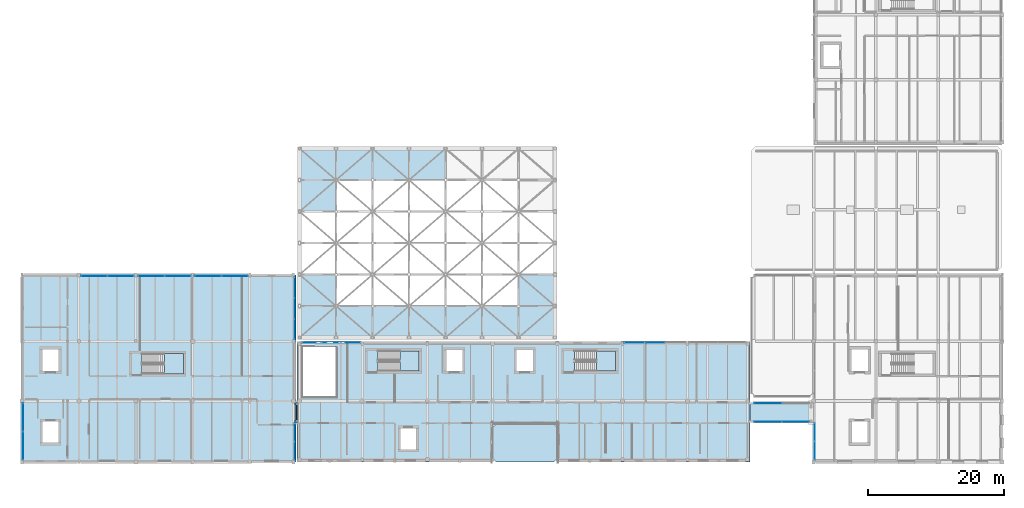
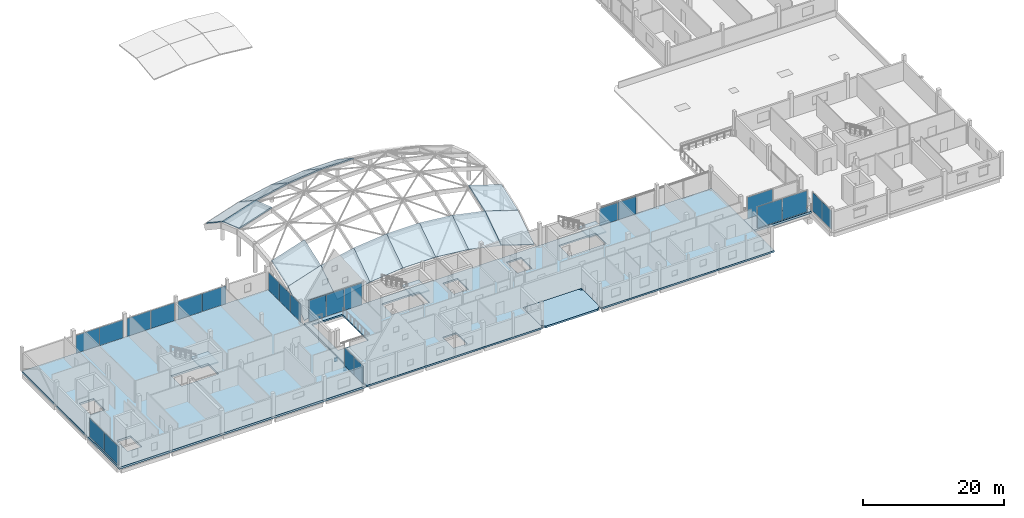
# One storey, part 18 of 41: 23 plates, 22 slabs, 2 beams, 15 elements without a shape of their own.
"""IFC4 building model written with IfcOpenShell, lengths in metres."""

from ifc_helpers import new_model, si_unit, direction, frame, origin, origin_2d, place, context, subcontext, project, spatial, polyline, rectangle, i_section, outline, extrude, material, layer, layer_set, material_profile, profile_set, type_object, element, aggregate, save


model = new_model("IFC4")

# Units and contexts
model_context = context("Model", 3, precision=1e-05, world=origin(), true_north=direction((0.0, 1.0)))
body_context = subcontext(model_context, "Body", "Model", "MODEL_VIEW")
ifc_project = project(units=[si_unit("LENGTHUNIT", "METRE"), si_unit("AREAUNIT", "SQUARE_METRE"), si_unit("VOLUMEUNIT", "CUBIC_METRE"), si_unit("PLANEANGLEUNIT", "RADIAN"), si_unit("MASSUNIT", "GRAM", prefix="KILO")], contexts=[model_context])

# Site, building, storey
site_placement = place(None, origin())
site = spatial("IfcSite", under=ifc_project, at=site_placement, CompositionType="ELEMENT")
building_placement = place(site_placement, origin())
building = spatial("IfcBuilding", under=site, at=building_placement, Name="Birchvale Park Specialist Clinic", CompositionType="ELEMENT")
storey_placement = place(building_placement, frame((0.0, 0.0, 9.60009765625)))
storey = spatial("IfcBuildingStorey", under=building, at=storey_placement, Name="L02", CompositionType="ELEMENT", Elevation=9.60009765625)

# Beams
ifc_material_1 = material(Name="Steel ASTM A992 Grade 50", Category="steel")
ifc_material_profile = material_profile(ifc_material_1, i_section(OverallWidth=0.22900390625, OverallDepth=0.612060546875, WebThickness=0.011962890625, FlangeThickness=0.01953125, at=origin_2d()), Name="W24X84")
ifc_profile_set = profile_set([ifc_material_profile], Name="Steel ASTM A992 Grade 50")
beam_type = type_object("IfcBeamType", Name="STL-EXT-SB2", PredefinedType="BEAM", material=ifc_profile_set)
for number, where, z_axis, x_axis, name in (
    (1, (51.409912109375, 22.800048828125, -0.671142578125), (1.0, 0.0, 0.0), (0.0, 1.0, 0.0), "L02 link bridge girder BRG-1.1"),
    (2, (51.409912109375, 25.39990234375, -0.671142578125), (1.0, 0.0, 0.0), (0.0, 1.0, 0.0), "L02 link bridge girder BRG-1.2"),
):
    element("IfcBeam", number, at=place(storey_placement, frame(where, z_axis=z_axis, x_axis=x_axis)), inside=storey, type_object=beam_type, Name=name, PredefinedType="BEAM", context=body_context, shape_type="SweptSolid", body=[
        extrude(i_section(OverallWidth=0.22900390625, OverallDepth=0.612060546875, WebThickness=0.011962890625, FlangeThickness=0.01953125, at=origin_2d()), origin(), (0.0, 0.0, 1.0), 0.52001953125),
    ])

# Curtain wall, plates
ifc_material_2 = material(Name="Thermally broken anodised aluminium", Category="aluminium")
ifc_layer_1 = layer(ifc_material_2, 0.179931640625)
ifc_layer_set_1 = layer_set([ifc_layer_1], Name="Thermally broken anodised aluminium")
curtain_wall_type_1 = type_object("IfcCurtainWallType", Name="CW-U1", PredefinedType="USERDEFINED", material=ifc_layer_set_1)
curtain_wall_1_placement = place(storey_placement, origin())
curtain_wall_1 = element("IfcCurtainWall", 3, at=curtain_wall_1_placement, inside=storey, type_object=curtain_wall_type_1, Name="V4 L02 glazed curtain wall 110", ObjectType="UNITISED", PredefinedType="USERDEFINED")
ifc_material_3 = material(Name="Solar-control low-E double glazing", Category="glass")
ifc_layer_2 = layer(ifc_material_3, 0.028076171875)
ifc_layer_set_2 = layer_set([ifc_layer_2], Name="Solar-control low-E double glazing")
plate_type_1 = type_object("IfcPlateType", Name="CWP1", PredefinedType="CURTAIN_PANEL", material=ifc_layer_set_2)
plate_1_placement = place(storey_placement, frame((104.614990234375, 34.409912109375, 0.059814453125), z_axis=(0.0, 0.0, 1.0), x_axis=(-1.0, 0.0, 0.0)))
plate_1 = element("IfcPlate", 4, at=plate_1_placement, type_object=plate_type_1, Name="CW panel 2.1", PredefinedType="CURTAIN_PANEL", context=body_context, shape_type="SweptSolid", body=[
    extrude(rectangle(XDim=2.989990234375, YDim=0.028076171875, at=origin_2d()), origin(), (0.0, 0.0, 1.0), 3.06494140625),
])
plate_2_placement = place(storey_placement, frame((101.580078125, 34.409912109375, 0.059814453125), z_axis=(0.0, 0.0, 1.0), x_axis=(-1.0, 0.0, 0.0)))
plate_2 = element("IfcPlate", 5, at=plate_2_placement, type_object=plate_type_1, Name="CW panel 3.1", PredefinedType="CURTAIN_PANEL", context=body_context, shape_type="SweptSolid", body=[
    extrude(rectangle(XDim=2.9599609375, YDim=0.028076171875, at=origin_2d()), origin(), (0.0, 0.0, 1.0), 3.06494140625),
])
aggregate(curtain_wall_1, [plate_1, plate_2])

curtain_wall_2_placement = place(storey_placement, origin())
curtain_wall_2 = element("IfcCurtainWall", 6, at=curtain_wall_2_placement, inside=storey, type_object=curtain_wall_type_1, Name="V4 L02 glazed curtain wall 111", ObjectType="UNITISED", PredefinedType="USERDEFINED")
plate_3_placement = place(storey_placement, frame((59.708251953125, 34.409912109375, 0.06005859375), z_axis=(0.0, 0.0, 1.0), x_axis=(-1.0, 0.0, 0.0)))
plate_3 = element("IfcPlate", 7, at=plate_3_placement, type_object=plate_type_1, Name="CW panel 1.1", PredefinedType="CURTAIN_PANEL", context=body_context, shape_type="SweptSolid", body=[
    extrude(rectangle(XDim=2.84326171875, YDim=0.028076171875, at=origin_2d()), origin(), (0.0, 0.0, 1.0), 3.800048828125),
])
plate_4_placement = place(storey_placement, frame((56.7900390625, 34.409912109375, 0.06005859375), z_axis=(0.0, 0.0, 1.0), x_axis=(-1.0, 0.0, 0.0)))
plate_4 = element("IfcPlate", 8, at=plate_4_placement, type_object=plate_type_1, Name="CW panel 2.1", PredefinedType="CURTAIN_PANEL", context=body_context, shape_type="SweptSolid", body=[
    extrude(rectangle(XDim=2.873291015625, YDim=0.028076171875, at=origin_2d()), origin(), (0.0, 0.0, 1.0), 3.800048828125),
])
plate_5_placement = place(storey_placement, frame((53.87158203125, 34.409912109375, 0.06005859375), z_axis=(0.0, 0.0, 1.0), x_axis=(-1.0, 0.0, 0.0)))
plate_5 = element("IfcPlate", 9, at=plate_5_placement, type_object=plate_type_1, Name="CW panel 3.1", PredefinedType="CURTAIN_PANEL", context=body_context, shape_type="SweptSolid", body=[
    extrude(rectangle(XDim=2.84326171875, YDim=0.028076171875, at=origin_2d()), origin(), (0.0, 0.0, 1.0), 3.800048828125),
])
aggregate(curtain_wall_2, [plate_3, plate_4, plate_5])

ifc_layer_3 = layer(ifc_material_2, 0.195068359375)
ifc_layer_set_3 = layer_set([ifc_layer_3], Name="Thermally broken anodised aluminium")
curtain_wall_type_2 = type_object("IfcCurtainWallType", Name="CW-U2", PredefinedType="USERDEFINED", material=ifc_layer_set_3)
curtain_wall_3_placement = place(storey_placement, origin())
curtain_wall_3 = element("IfcCurtainWall", 10, at=curtain_wall_3_placement, inside=storey, type_object=curtain_wall_type_2, Name="V2 L02 glazed curtain wall 103", ObjectType="UNITISED", PredefinedType="USERDEFINED")
ifc_layer_4 = layer(ifc_material_3, 0.031982421875)
ifc_layer_set_4 = layer_set([ifc_layer_4], Name="Solar-control low-E double glazing")
plate_type_2 = type_object("IfcPlateType", Name="CWP2", PredefinedType="CURTAIN_PANEL", material=ifc_layer_set_4)
plate_6_placement = place(storey_placement, frame((51.445068359375, 18.47119140625, 0.06494140625), z_axis=(0.0, 0.0, 1.0), x_axis=(0.0, 1.0, 0.0)))
plate_6 = element("IfcPlate", 11, at=plate_6_placement, type_object=plate_type_2, Name="CW panel 1.1", PredefinedType="CURTAIN_PANEL", context=body_context, shape_type="SweptSolid", body=[
    extrude(rectangle(XDim=2.632568359375, YDim=0.031982421875, at=origin_2d()), origin(), (0.0, 0.0, 1.0), 3.205078125),
])
plate_7_placement = place(storey_placement, frame((51.445068359375, 21.168701171875, 0.06494140625), z_axis=(0.0, 0.0, 1.0), x_axis=(0.0, 1.0, 0.0)))
plate_7 = element("IfcPlate", 12, at=plate_7_placement, type_object=plate_type_2, Name="CW panel 2.1", PredefinedType="CURTAIN_PANEL", context=body_context, shape_type="SweptSolid", body=[
    extrude(rectangle(XDim=2.632568359375, YDim=0.031982421875, at=origin_2d()), origin(), (0.0, 0.0, 1.0), 3.205078125),
])
aggregate(curtain_wall_3, [plate_6, plate_7])

curtain_wall_4_placement = place(storey_placement, origin())
curtain_wall_4 = element("IfcCurtainWall", 13, at=curtain_wall_4_placement, inside=storey, type_object=curtain_wall_type_2, Name="V2 L02 glazed curtain wall 104", ObjectType="UNITISED", PredefinedType="USERDEFINED")
plate_8_placement = place(storey_placement, frame((51.445068359375, 36.40625, 0.06494140625), z_axis=(0.0, 0.0, 1.0), x_axis=(0.0, 1.0, 0.0)))
plate_8 = element("IfcPlate", 14, at=plate_8_placement, type_object=plate_type_2, Name="CW panel 1.1", PredefinedType="CURTAIN_PANEL", context=body_context, shape_type="SweptSolid", body=[
    extrude(rectangle(XDim=3.00244140625, YDim=0.031982421875, at=origin_2d()), origin(), (0.0, 0.0, 1.0), 3.139892578125),
])
plate_9_placement = place(storey_placement, frame((51.445068359375, 39.489990234375, 0.06494140625), z_axis=(0.0, 0.0, 1.0), x_axis=(0.0, 1.0, 0.0)))
plate_9 = element("IfcPlate", 15, at=plate_9_placement, type_object=plate_type_2, Name="CW panel 2.1", PredefinedType="CURTAIN_PANEL", context=body_context, shape_type="SweptSolid", body=[
    extrude(rectangle(XDim=3.034912109375, YDim=0.031982421875, at=origin_2d()), origin(), (0.0, 0.0, 1.0), 3.139892578125),
])
plate_10_placement = place(storey_placement, frame((51.445068359375, 42.57373046875, 0.06494140625), z_axis=(0.0, 0.0, 1.0), x_axis=(0.0, 1.0, 0.0)))
plate_10 = element("IfcPlate", 16, at=plate_10_placement, type_object=plate_type_2, Name="CW panel 3.1", PredefinedType="CURTAIN_PANEL", context=body_context, shape_type="SweptSolid", body=[
    extrude(rectangle(XDim=3.00244140625, YDim=0.031982421875, at=origin_2d()), origin(), (0.0, 0.0, 1.0), 3.139892578125),
])
aggregate(curtain_wall_4, [plate_8, plate_9, plate_10])

curtain_wall_5_placement = place(storey_placement, origin())
curtain_wall_5 = element("IfcCurtainWall", 17, at=curtain_wall_5_placement, inside=storey, type_object=curtain_wall_type_2, Name="V2 L02 glazed curtain wall 105", ObjectType="UNITISED", PredefinedType="USERDEFINED")
plate_11_placement = place(storey_placement, frame((42.59619140625, 44.2451171875, 0.06494140625), z_axis=(0.0, 0.0, 1.0), x_axis=(-1.0, 0.0, 0.0)))
plate_11 = element("IfcPlate", 18, at=plate_11_placement, type_object=plate_type_2, Name="CW panel 1.1", PredefinedType="CURTAIN_PANEL", context=body_context, shape_type="SweptSolid", body=[
    extrude(rectangle(XDim=3.87744140625, YDim=0.031982421875, at=origin_2d()), origin(), (0.0, 0.0, 1.0), 3.1298828125),
])
plate_12_placement = place(storey_placement, frame((38.65380859375, 44.2451171875, 0.06494140625), z_axis=(0.0, 0.0, 1.0), x_axis=(-1.0, 0.0, 0.0)))
plate_12 = element("IfcPlate", 19, at=plate_12_placement, type_object=plate_type_2, Name="CW panel 2.1", PredefinedType="CURTAIN_PANEL", context=body_context, shape_type="SweptSolid", body=[
    extrude(rectangle(XDim=3.87744140625, YDim=0.031982421875, at=origin_2d()), origin(), (0.0, 0.0, 1.0), 3.1298828125),
])
aggregate(curtain_wall_5, [plate_11, plate_12])

curtain_wall_6_placement = place(storey_placement, origin())
curtain_wall_6 = element("IfcCurtainWall", 20, at=curtain_wall_6_placement, inside=storey, type_object=curtain_wall_type_2, Name="V2 L02 glazed curtain wall 106", ObjectType="UNITISED", PredefinedType="USERDEFINED")
plate_13_placement = place(storey_placement, frame((34.1650390625, 44.2451171875, 0.06494140625), z_axis=(0.0, 0.0, 1.0), x_axis=(-1.0, 0.0, 0.0)))
plate_13 = element("IfcPlate", 21, at=plate_13_placement, type_object=plate_type_2, Name="CW panel 1.1", PredefinedType="CURTAIN_PANEL", context=body_context, shape_type="SweptSolid", body=[
    extrude(rectangle(XDim=3.840087890625, YDim=0.031982421875, at=origin_2d()), origin(), (0.0, 0.0, 1.0), 3.125),
])
plate_14_placement = place(storey_placement, frame((30.260009765625, 44.2451171875, 0.06494140625), z_axis=(0.0, 0.0, 1.0), x_axis=(-1.0, 0.0, 0.0)))
plate_14 = element("IfcPlate", 22, at=plate_14_placement, type_object=plate_type_2, Name="CW panel 2.1", PredefinedType="CURTAIN_PANEL", context=body_context, shape_type="SweptSolid", body=[
    extrude(rectangle(XDim=3.840087890625, YDim=0.031982421875, at=origin_2d()), origin(), (0.0, 0.0, 1.0), 3.125),
])
aggregate(curtain_wall_6, [plate_13, plate_14])

curtain_wall_7_placement = place(storey_placement, origin())
curtain_wall_7 = element("IfcCurtainWall", 23, at=curtain_wall_7_placement, inside=storey, type_object=curtain_wall_type_2, Name="V2 L02 glazed curtain wall 107", ObjectType="UNITISED", PredefinedType="USERDEFINED")
plate_15_placement = place(storey_placement, frame((25.75244140625, 44.2451171875, 0.06494140625), z_axis=(0.0, 0.0, 1.0), x_axis=(-1.0, 0.0, 0.0)))
plate_15 = element("IfcPlate", 24, at=plate_15_placement, type_object=plate_type_2, Name="CW panel 1.1", PredefinedType="CURTAIN_PANEL", context=body_context, shape_type="SweptSolid", body=[
    extrude(rectangle(XDim=3.81494140625, YDim=0.031982421875, at=origin_2d()), origin(), (0.0, 0.0, 1.0), 3.125),
])
plate_16_placement = place(storey_placement, frame((21.87255859375, 44.2451171875, 0.06494140625), z_axis=(0.0, 0.0, 1.0), x_axis=(-1.0, 0.0, 0.0)))
plate_16 = element("IfcPlate", 25, at=plate_16_placement, type_object=plate_type_2, Name="CW panel 2.1", PredefinedType="CURTAIN_PANEL", context=body_context, shape_type="SweptSolid", body=[
    extrude(rectangle(XDim=3.81494140625, YDim=0.031982421875, at=origin_2d()), origin(), (0.0, 0.0, 1.0), 3.125),
])
aggregate(curtain_wall_7, [plate_15, plate_16])

curtain_wall_8_placement = place(storey_placement, origin())
curtain_wall_8 = element("IfcCurtainWall", 26, at=curtain_wall_8_placement, inside=storey, type_object=curtain_wall_type_2, Name="V2 L02 glazed curtain wall 108", ObjectType="UNITISED", PredefinedType="USERDEFINED")
plate_17_placement = place(storey_placement, frame((11.35498046875, 23.37744140625, 0.06494140625), z_axis=(0.0, 0.0, 1.0), x_axis=(0.0, -1.0, 0.0)))
plate_17 = element("IfcPlate", 27, at=plate_17_placement, type_object=plate_type_2, Name="CW panel 1.1", PredefinedType="CURTAIN_PANEL", context=body_context, shape_type="SweptSolid", body=[
    extrude(rectangle(XDim=4.114990234375, YDim=0.031982421875, at=origin_2d()), origin(), (0.0, 0.0, 1.0), 3.235107421875),
])
plate_18_placement = place(storey_placement, frame((11.35498046875, 19.197509765625, 0.06494140625), z_axis=(0.0, 0.0, 1.0), x_axis=(0.0, -1.0, 0.0)))
plate_18 = element("IfcPlate", 28, at=plate_18_placement, type_object=plate_type_2, Name="CW panel 2.1", PredefinedType="CURTAIN_PANEL", context=body_context, shape_type="SweptSolid", body=[
    extrude(rectangle(XDim=4.114990234375, YDim=0.031982421875, at=origin_2d()), origin(), (0.0, 0.0, 1.0), 3.235107421875),
])
aggregate(curtain_wall_8, [plate_17, plate_18])

curtain_wall_9_placement = place(storey_placement, origin())
curtain_wall_9 = element("IfcCurtainWall", 29, at=curtain_wall_9_placement, inside=storey, type_object=curtain_wall_type_2, Name="V5 L02 glazed curtain wall 113", ObjectType="UNITISED", PredefinedType="USERDEFINED")
plate_19_placement = place(storey_placement, frame((128.175048828125, 21.1650390625, 0.06494140625), z_axis=(0.0, 0.0, 1.0), x_axis=(0.0, -1.0, 0.0)))
plate_19 = element("IfcPlate", 30, at=plate_19_placement, type_object=plate_type_2, Name="CW panel 1.1", PredefinedType="CURTAIN_PANEL", context=body_context, shape_type="SweptSolid", body=[
    extrude(rectangle(XDim=2.639892578125, YDim=0.031982421875, at=origin_2d()), origin(), (0.0, 0.0, 1.0), 3.235107421875),
])
plate_20_placement = place(storey_placement, frame((128.175048828125, 18.4599609375, 0.06494140625), z_axis=(0.0, 0.0, 1.0), x_axis=(0.0, -1.0, 0.0)))
plate_20 = element("IfcPlate", 31, at=plate_20_placement, type_object=plate_type_2, Name="CW panel 2.1", PredefinedType="CURTAIN_PANEL", context=body_context, shape_type="SweptSolid", body=[
    extrude(rectangle(XDim=2.639892578125, YDim=0.031982421875, at=origin_2d()), origin(), (0.0, 0.0, 1.0), 3.235107421875),
])
aggregate(curtain_wall_9, [plate_19, plate_20])

ifc_layer_5 = layer(ifc_material_2, 0.14990234375)
ifc_layer_set_5 = layer_set([ifc_layer_5], Name="Thermally broken anodised aluminium")
curtain_wall_type_3 = type_object("IfcCurtainWallType", Name="CW-S2", PredefinedType="USERDEFINED", material=ifc_layer_set_5)
curtain_wall_10_placement = place(storey_placement, origin())
curtain_wall_10 = element("IfcCurtainWall", 32, at=curtain_wall_10_placement, inside=storey, type_object=curtain_wall_type_3, Name="V4 L02 glazed curtain wall 153", ObjectType="STICK", PredefinedType="USERDEFINED")
plate_21_placement = place(storey_placement, frame((121.232421875, 22.719970703125, 0.06494140625), z_axis=(0.0, 0.0, 1.0), x_axis=(1.0, 0.0, 0.0)))
plate_21 = element("IfcPlate", 33, at=plate_21_placement, type_object=plate_type_2, Name="CW panel 1.1", PredefinedType="CURTAIN_PANEL", context=body_context, shape_type="SweptSolid", body=[
    extrude(rectangle(XDim=4.044921875, YDim=0.031982421875, at=origin_2d()), origin(), (0.0, 0.0, 1.0), 3.68994140625),
])
plate_22_placement = place(storey_placement, frame((125.33740234375, 22.719970703125, 0.06494140625), z_axis=(0.0, 0.0, 1.0), x_axis=(1.0, 0.0, 0.0)))
plate_22 = element("IfcPlate", 34, at=plate_22_placement, type_object=plate_type_2, Name="CW panel 2.1", PredefinedType="CURTAIN_PANEL", context=body_context, shape_type="SweptSolid", body=[
    extrude(rectangle(XDim=4.044921875, YDim=0.031982421875, at=origin_2d()), origin(), (0.0, 0.0, 1.0), 3.68994140625),
])
aggregate(curtain_wall_10, [plate_21, plate_22])

# Curtain wall, plate
curtain_wall_11_placement = place(storey_placement, origin())
curtain_wall_11 = element("IfcCurtainWall", 35, at=curtain_wall_11_placement, inside=storey, type_object=curtain_wall_type_3, Name="V4 L02 glazed curtain wall 154", ObjectType="STICK", PredefinedType="USERDEFINED")
plate_23_placement = place(storey_placement, frame((121.239990234375, 25.47998046875, 0.06494140625), z_axis=(0.0, 0.0, 1.0), x_axis=(-1.0, 0.0, 0.0)))
plate_23 = element("IfcPlate", 36, at=plate_23_placement, type_object=plate_type_2, Name="CW panel 2.1", PredefinedType="CURTAIN_PANEL", context=body_context, shape_type="SweptSolid", body=[
    extrude(rectangle(XDim=4.06005859375, YDim=0.031982421875, at=origin_2d()), origin(), (0.0, 0.0, 1.0), 3.68994140625),
])
aggregate(curtain_wall_11, [plate_23])

# Slabs
ifc_material_4 = material(Name="Concrete C35/45", Category="concrete")
ifc_layer_6 = layer(ifc_material_4, 0.31005859375)
ifc_layer_set_6 = layer_set([ifc_layer_6], Name="Concrete C35/45")
slab_type_1 = type_object("IfcSlabType", Name="SLB-ES1", PredefinedType="FLOOR", material=ifc_layer_set_6)
slab_1_placement = place(storey_placement, frame((0.0, 0.0, -0.31005859375)))
element("IfcSlab", 37, at=slab_1_placement, inside=storey, type_object=slab_type_1, Name="V4 L02 outdoor terrace slab 1", PredefinedType="FLOOR", context=body_context, shape_type="SweptSolid", body=[
    extrude(outline(polyline([(81.14990234375, 16.800048828125), (89.64990234375, 16.800048828125), (90.199951171875, 17.35009765625), (90.199951171875, 21.85009765625), (89.64990234375, 22.39990234375), (81.14990234375, 22.39990234375), (80.60009765625, 21.85009765625), (80.60009765625, 17.35009765625), (81.14990234375, 16.800048828125)])), origin(), (0.0, 0.0, 1.0), 0.31005859375),
])
ifc_layer_7 = layer(ifc_material_4, 0.35009765625)
ifc_layer_set_7 = layer_set([ifc_layer_7], Name="Concrete C35/45")
slab_type_2 = type_object("IfcSlabType", Name="SLB-FS1", PredefinedType="FLOOR", material=ifc_layer_set_7)
slab_2_placement = place(storey_placement, frame((0.0, 0.0, -0.35009765625)))
element("IfcSlab", 38, at=slab_2_placement, inside=storey, type_object=slab_type_2, Name="V2 L02 structural slab 1", PredefinedType="FLOOR", context=body_context, shape_type="SweptSolid", body=[
    extrude(outline(polyline([(11.199951171875, 16.800048828125), (51.60009765625, 16.800048828125), (51.60009765625, 44.39990234375), (11.199951171875, 44.39990234375), (11.199951171875, 16.800048828125)]), holes=[polyline([(28.905029296875, 29.800048828125), (35.0, 29.800048828125), (35.0, 32.800048828125), (28.905029296875, 32.800048828125), (28.905029296875, 29.800048828125)]), polyline([(14.25, 19.64990234375), (16.550048828125, 19.64990234375), (16.550048828125, 22.75), (14.25, 22.75), (14.25, 19.64990234375)]), polyline([(14.199951171875, 30.199951171875), (16.60009765625, 30.199951171875), (16.60009765625, 33.39990234375), (14.199951171875, 33.39990234375), (14.199951171875, 30.199951171875)])]), origin(), (0.0, 0.0, 1.0), 0.35009765625),
])
ifc_layer_8 = layer(ifc_material_4, 0.280029296875)
ifc_layer_set_8 = layer_set([ifc_layer_8], Name="Concrete C35/45")
slab_type_3 = type_object("IfcSlabType", Name="SLB-FS4", PredefinedType="FLOOR", material=ifc_layer_set_8)
slab_3_placement = place(storey_placement, frame((0.0, 0.0, -0.280029296875)))
element("IfcSlab", 39, at=slab_3_placement, inside=storey, type_object=slab_type_3, Name="V4 L02 structural slab 1", PredefinedType="FLOOR", context=body_context, shape_type="SweptSolid", body=[
    extrude(outline(polyline([(51.800048828125, 16.800048828125), (80.60009765625, 16.800048828125), (80.60009765625, 22.39990234375), (90.199951171875, 22.39990234375), (90.199951171875, 16.800048828125), (118.60009765625, 16.800048828125), (118.60009765625, 34.60009765625), (51.800048828125, 34.60009765625), (51.800048828125, 16.800048828125)]), holes=[polyline([(52.60009765625, 26.39990234375), (57.60009765625, 26.39990234375), (57.60009765625, 33.800048828125), (52.60009765625, 33.800048828125), (52.60009765625, 26.39990234375)]), polyline([(63.705078125, 30.199951171875), (69.800048828125, 30.199951171875), (69.800048828125, 33.199951171875), (63.705078125, 33.199951171875), (63.705078125, 30.199951171875)]), polyline([(92.705078125, 30.199951171875), (98.800048828125, 30.199951171875), (98.800048828125, 33.199951171875), (92.705078125, 33.199951171875), (92.705078125, 30.199951171875)]), polyline([(73.800048828125, 30.199951171875), (76.199951171875, 30.199951171875), (76.199951171875, 33.300048828125), (73.800048828125, 33.300048828125), (73.800048828125, 30.199951171875)]), polyline([(84.199951171875, 30.199951171875), (86.60009765625, 30.199951171875), (86.60009765625, 33.300048828125), (84.199951171875, 33.300048828125), (84.199951171875, 30.199951171875)]), polyline([(67.050048828125, 18.64990234375), (69.35009765625, 18.64990234375), (69.35009765625, 21.75), (67.050048828125, 21.75), (67.050048828125, 18.64990234375)])]), origin(), (0.0, 0.0, 1.0), 0.280029296875),
])
ifc_layer_9 = layer(ifc_material_4, 0.364990234375)
ifc_layer_set_9 = layer_set([ifc_layer_9], Name="Concrete C35/45")
slab_type_4 = type_object("IfcSlabType", Name="SLB-FS6", PredefinedType="FLOOR", material=ifc_layer_set_9)
slab_4_placement = place(storey_placement, frame((0.0, 0.0, -0.364990234375)))
element("IfcSlab", 40, at=slab_4_placement, inside=storey, type_object=slab_type_4, Name="L02 seismic link bridge deck BRG-1", PredefinedType="FLOOR", context=body_context, shape_type="SweptSolid", body=[
    extrude(outline(polyline([(51.60009765625, 22.60009765625), (51.800048828125, 22.60009765625), (51.800048828125, 25.60009765625), (51.60009765625, 25.60009765625), (51.60009765625, 22.60009765625)])), origin(), (0.0, 0.0, 1.0), 0.364990234375),
])
slab_5_placement = place(storey_placement, frame((0.0, 0.0, -0.364990234375)))
element("IfcSlab", 41, at=slab_5_placement, inside=storey, type_object=slab_type_4, Name="L02 seismic link bridge deck BRG-3", PredefinedType="FLOOR", context=body_context, shape_type="SweptSolid", body=[
    extrude(outline(polyline([(118.60009765625, 22.60009765625), (128.0, 22.60009765625), (128.0, 25.60009765625), (118.60009765625, 25.60009765625), (118.60009765625, 22.60009765625)])), origin(), (0.0, 0.0, 1.0), 0.364990234375),
])

# Stair, slab
stair_type = type_object("IfcStairType", Name="ST-H42", PredefinedType="HALF_TURN_STAIR", material=ifc_material_4)
stair_1_placement = place(storey_placement, origin())
stair_1 = element("IfcStair", 42, at=stair_1_placement, inside=storey, type_object=stair_type, Name="L02 Protected exit stair ST2", PredefinedType="HALF_TURN_STAIR")
ifc_layer_10 = layer(ifc_material_4, 0.199951171875)
ifc_layer_set_10 = layer_set([ifc_layer_10], Name="Concrete C35/45")
slab_type_5 = type_object("IfcSlabType", Name="SLB-LND1", PredefinedType="LANDING", material=ifc_layer_set_10)
slab_6_placement = place(storey_placement, frame((0.0, 0.0, 1.89990234375)))
slab_6 = element("IfcSlab", 43, at=slab_6_placement, type_object=slab_type_5, Name="ST2 landing 1", PredefinedType="LANDING", context=body_context, shape_type="SweptSolid", body=[
    extrude(outline(polyline([(32.199951171875, 29.800048828125), (35.0, 29.800048828125), (35.0, 32.800048828125), (32.199951171875, 32.800048828125), (32.199951171875, 29.800048828125)])), origin(), (0.0, 0.0, 1.0), 0.199951171875),
])
aggregate(stair_1, [slab_6])

stair_2_placement = place(storey_placement, origin())
stair_2 = element("IfcStair", 44, at=stair_2_placement, inside=storey, type_object=stair_type, Name="L02 Protected exit stair ST4", PredefinedType="HALF_TURN_STAIR")
slab_7_placement = place(storey_placement, frame((0.0, 0.0, 1.89990234375)))
slab_7 = element("IfcSlab", 45, at=slab_7_placement, type_object=slab_type_5, Name="ST4 landing 1", PredefinedType="LANDING", context=body_context, shape_type="SweptSolid", body=[
    extrude(outline(polyline([(67.0, 30.199951171875), (69.800048828125, 30.199951171875), (69.800048828125, 33.199951171875), (67.0, 33.199951171875), (67.0, 30.199951171875)])), origin(), (0.0, 0.0, 1.0), 0.199951171875),
])
aggregate(stair_2, [slab_7])

stair_3_placement = place(storey_placement, origin())
stair_3 = element("IfcStair", 46, at=stair_3_placement, inside=storey, type_object=stair_type, Name="L02 Protected exit stair ST5", PredefinedType="HALF_TURN_STAIR")
slab_8_placement = place(storey_placement, frame((0.0, 0.0, 1.89990234375)))
slab_8 = element("IfcSlab", 47, at=slab_8_placement, type_object=slab_type_5, Name="ST5 landing 1", PredefinedType="LANDING", context=body_context, shape_type="SweptSolid", body=[
    extrude(outline(polyline([(96.0, 30.199951171875), (98.800048828125, 30.199951171875), (98.800048828125, 33.199951171875), (96.0, 33.199951171875), (96.0, 30.199951171875)])), origin(), (0.0, 0.0, 1.0), 0.199951171875),
])
aggregate(stair_3, [slab_8])

# Roof, slabs
ifc_material_5 = material(Name="Glulam GL28h", Category="wood")
roof_type = type_object("IfcRoofType", Name="ROOF-SHL1", PredefinedType="BARREL_ROOF", material=ifc_material_5)
roof_placement = place(storey_placement, origin())
roof = element("IfcRoof", 48, at=roof_placement, inside=storey, type_object=roof_type, Name="V1 translational glulam-and-steel gridshell roof (L02)", PredefinedType="BARREL_ROOF")
ifc_layer_11 = layer(ifc_material_4, 0.179931640625)
ifc_layer_set_11 = layer_set([ifc_layer_11], Name="Concrete C35/45")
slab_type_6 = type_object("IfcSlabType", Name="SLB-RS3", PredefinedType="ROOF", material=ifc_layer_set_11)
slab_9_placement = place(storey_placement, frame((52.14990234375, 35.14990234375, 0.0), z_axis=(-0.262729709177, -0.535825606069, 0.802411378158), x_axis=(0.950354284012, 0.0, 0.311169945304)))
slab_9 = element("IfcSlab", 49, at=slab_9_placement, type_object=slab_type_6, Name="V1 gridshell planar roof cassette 1", PredefinedType="ROOF", context=body_context, shape_type="SweptSolid", body=[
    extrude(outline(polyline([(0.0, 0.0), (5.66708887212652, 0.0), (6.633341443983735, 5.507507436962079), (0.9662525718572146, 5.507507436962079), (0.0, 0.0)])), origin(), (0.0, 0.0, -1.0), 0.179931640625),
])
slab_10_placement = place(storey_placement, frame((52.14990234375, 39.800048828125, 3.105224609375), z_axis=(-0.295043747658, -0.317746822713, 0.901102737552), x_axis=(0.950354284012, 0.0, 0.311169945304)))
slab_10 = element("IfcSlab", 50, at=slab_10_placement, type_object=slab_type_6, Name="V1 gridshell planar roof cassette 2", PredefinedType="ROOF", context=body_context, shape_type="SweptSolid", body=[
    extrude(outline(polyline([(0.0, 0.0), (5.66708887212652, 1.1102230246251565e-16), (6.177298186741902, 4.904051922674518), (0.5102093146153828, 4.904051922674518), (0.0, 0.0)])), origin(), (0.0, 0.0, -1.0), 0.179931640625),
])
slab_11_placement = place(storey_placement, frame((52.14990234375, 53.75, 4.744873046875), z_axis=(-0.295043747658, 0.317746822713, 0.901102737552), x_axis=(0.950354284012, 0.0, 0.311169945304)))
slab_11 = element("IfcSlab", 51, at=slab_11_placement, type_object=slab_type_6, Name="V1 gridshell planar roof cassette 5", PredefinedType="ROOF", context=body_context, shape_type="SweptSolid", body=[
    extrude(outline(polyline([(0.0, 0.0), (5.66708887212652, -1.1102230246251565e-16), (5.156879557511138, 4.904051922674518), (-0.5102093146153828, 4.904051922674518), (0.0, 0.0)])), origin(), (0.0, 0.0, -1.0), 0.179931640625),
])
slab_12_placement = place(storey_placement, frame((52.14990234375, 58.39990234375, 3.105224609375), z_axis=(-0.262729709177, 0.535825606069, 0.802411378158), x_axis=(0.950354284012, 0.0, 0.311169945304)))
slab_12 = element("IfcSlab", 52, at=slab_12_placement, type_object=slab_type_6, Name="V1 gridshell planar roof cassette 6", PredefinedType="ROOF", context=body_context, shape_type="SweptSolid", body=[
    extrude(outline(polyline([(0.0, 0.0), (5.66708887212652, 0.0), (4.700836300269305, 5.50750743696208), (-0.9662525718572146, 5.507507436962079), (0.0, 0.0)])), origin(), (0.0, 0.0, -1.0), 0.179931640625),
])
slab_13_placement = place(storey_placement, frame((57.53564453125, 35.14990234375, 1.763427734375), z_axis=(-0.173637166078, -0.546899105252, 0.818994202196), x_axis=(0.978255668957, 0.0, 0.207402618482)))
slab_13 = element("IfcSlab", 53, at=slab_13_placement, type_object=slab_type_6, Name="V1 gridshell planar roof cassette 7", PredefinedType="ROOF", context=body_context, shape_type="SweptSolid", body=[
    extrude(outline(polyline([(0.0, 0.0), (5.505454615194127, 0.0), (6.149486330153207, 5.554413141902586), (0.6440317149590792, 5.554413141902586), (0.0, 0.0)])), origin(), (0.0, 0.0, -1.0), 0.179931640625),
])
slab_14_placement = place(storey_placement, frame((57.53564453125, 58.39990234375, 4.86865234375), z_axis=(-0.173637166078, 0.546899105252, 0.818994202196), x_axis=(0.978255668957, 0.0, 0.207402618482)))
slab_14 = element("IfcSlab", 54, at=slab_14_placement, type_object=slab_type_6, Name="V1 gridshell planar roof cassette 12", PredefinedType="ROOF", context=body_context, shape_type="SweptSolid", body=[
    extrude(outline(polyline([(0.0, 0.0), (5.505454615194127, 0.0), (4.861422900235048, 5.554413141902586), (-0.6440317149590792, 5.554413141902586), (0.0, 0.0)])), origin(), (0.0, 0.0, -1.0), 0.179931640625),
])
slab_15_placement = place(storey_placement, frame((62.92138671875, 35.14990234375, 2.9052734375), z_axis=(-0.086419511861, -0.553257211935, 0.828515615672), x_axis=(0.994604073977, 0.0, 0.103743607172)))
slab_15 = element("IfcSlab", 55, at=slab_15_placement, type_object=slab_type_6, Name="V1 gridshell planar roof cassette 13", PredefinedType="ROOF", context=body_context, shape_type="SweptSolid", body=[
    extrude(outline(polyline([(0.0, 0.0), (5.41496091602236, 1.1102230246251565e-16), (5.737108118079014, 5.582338522610428), (0.32214720205665465, 5.582338522610427), (0.0, 0.0)])), origin(), (0.0, 0.0, -1.0), 0.179931640625),
])
slab_16_placement = place(storey_placement, frame((62.92138671875, 58.39990234375, 6.010498046875), z_axis=(-0.086419511861, 0.553257211935, 0.828515615672), x_axis=(0.994604073977, 0.0, 0.103743607172)))
slab_16 = element("IfcSlab", 56, at=slab_16_placement, type_object=slab_type_6, Name="V1 gridshell planar roof cassette 18", PredefinedType="ROOF", context=body_context, shape_type="SweptSolid", body=[
    extrude(outline(polyline([(0.0, 0.0), (5.41496091602236, -1.1102230246251565e-16), (5.092813713965705, 5.582338522610427), (-0.32214720205665465, 5.582338522610427), (0.0, 0.0)])), origin(), (0.0, 0.0, -1.0), 0.179931640625),
])
slab_17_placement = place(storey_placement, frame((68.30712890625, 35.14990234375, 3.467041015625), z_axis=(0.0, -0.555334810631, 0.831626868314), x_axis=(1.0, 0.0, 0.0)))
slab_17 = element("IfcSlab", 57, at=slab_17_placement, type_object=slab_type_6, Name="V1 gridshell planar roof cassette 19", PredefinedType="ROOF", context=body_context, shape_type="SweptSolid", body=[
    extrude(outline(polyline([(0.0, 0.0), (5.3857421875, 0.0), (5.3857421875, 5.591626078415231), (0.0, 5.591626078415231), (0.0, 0.0)])), origin(), (0.0, 0.0, -1.0), 0.179931640625),
])
slab_18_placement = place(storey_placement, frame((68.30712890625, 58.39990234375, 6.572265625), z_axis=(0.0, 0.555334810631, 0.831626868314), x_axis=(1.0, 0.0, 0.0)))
slab_18 = element("IfcSlab", 58, at=slab_18_placement, type_object=slab_type_6, Name="V1 gridshell planar roof cassette 24", PredefinedType="ROOF", context=body_context, shape_type="SweptSolid", body=[
    extrude(outline(polyline([(0.0, 0.0), (5.3857421875, 0.0), (5.3857421875, 5.591626078415231), (0.0, 5.591626078415231), (0.0, 0.0)])), origin(), (0.0, 0.0, -1.0), 0.179931640625),
])
slab_19_placement = place(storey_placement, frame((73.69287109375, 35.14990234375, 3.467041015625), z_axis=(0.086419511861, -0.553257211935, 0.828515615672), x_axis=(0.994604073977, 0.0, -0.103743607172)))
slab_19 = element("IfcSlab", 59, at=slab_19_placement, type_object=slab_type_6, Name="V1 gridshell planar roof cassette 25", PredefinedType="ROOF", context=body_context, shape_type="SweptSolid", body=[
    extrude(outline(polyline([(0.0, 0.0), (5.41496091602236, -1.1102230246251565e-16), (5.092813713965705, 5.582338522610427), (-0.32214720205665465, 5.582338522610427), (0.0, 0.0)])), origin(), (0.0, 0.0, -1.0), 0.179931640625),
])
slab_20_placement = place(storey_placement, frame((79.07861328125, 35.14990234375, 2.9052734375), z_axis=(0.173637166078, -0.546899105252, 0.818994202196), x_axis=(0.978255668957, 0.0, -0.207402618482)))
slab_20 = element("IfcSlab", 60, at=slab_20_placement, type_object=slab_type_6, Name="V1 gridshell planar roof cassette 31", PredefinedType="ROOF", context=body_context, shape_type="SweptSolid", body=[
    extrude(outline(polyline([(0.0, 0.0), (5.505454615194127, 0.0), (4.861422900235048, 5.554413141902586), (-0.6440317149590792, 5.554413141902586), (0.0, 0.0)])), origin(), (0.0, 0.0, -1.0), 0.179931640625),
])
slab_21_placement = place(storey_placement, frame((84.46435546875, 35.14990234375, 1.763427734375), z_axis=(0.262729709177, -0.535825606069, 0.802411378158), x_axis=(0.950354284012, 0.0, -0.311169945304)))
slab_21 = element("IfcSlab", 61, at=slab_21_placement, type_object=slab_type_6, Name="V1 gridshell planar roof cassette 37", PredefinedType="ROOF", context=body_context, shape_type="SweptSolid", body=[
    extrude(outline(polyline([(0.0, 0.0), (5.66708887212652, 0.0), (4.700836300269305, 5.50750743696208), (-0.9662525718572146, 5.507507436962079), (0.0, 0.0)])), origin(), (0.0, 0.0, -1.0), 0.179931640625),
])
slab_22_placement = place(storey_placement, frame((84.46435546875, 39.800048828125, 4.86865234375), z_axis=(0.295043747658, -0.317746822713, 0.901102737552), x_axis=(0.950354284012, 0.0, -0.311169945304)))
slab_22 = element("IfcSlab", 62, at=slab_22_placement, type_object=slab_type_6, Name="V1 gridshell planar roof cassette 38", PredefinedType="ROOF", context=body_context, shape_type="SweptSolid", body=[
    extrude(outline(polyline([(0.0, 0.0), (5.66708887212652, -1.1102230246251565e-16), (5.156879557511138, 4.904051922674518), (-0.5102093146153828, 4.904051922674518), (0.0, 0.0)])), origin(), (0.0, 0.0, -1.0), 0.179931640625),
])
aggregate(roof, [slab_9, slab_10, slab_11, slab_12, slab_13, slab_14, slab_15, slab_16, slab_17, slab_18, slab_19, slab_20, slab_21, slab_22])

save(model, "model.ifc")
